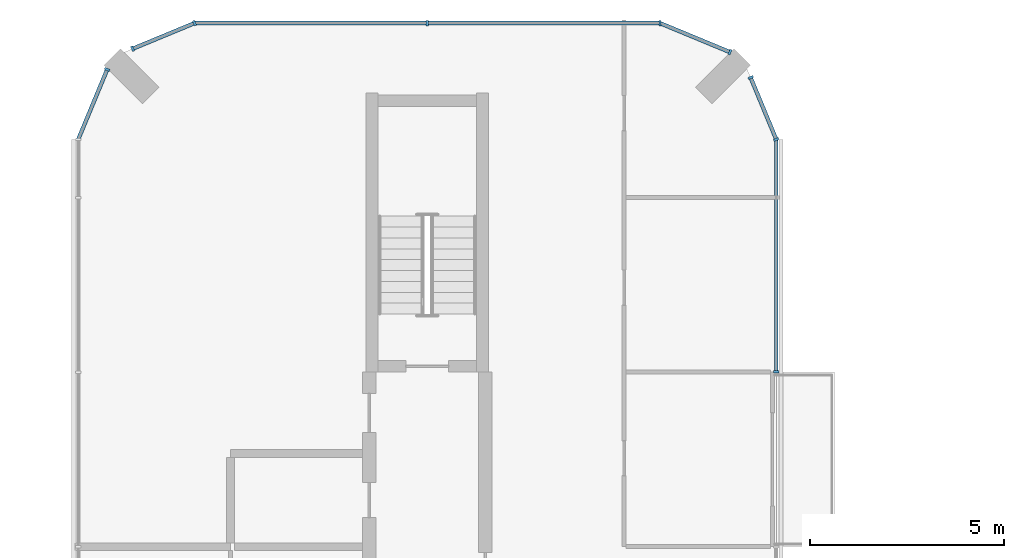
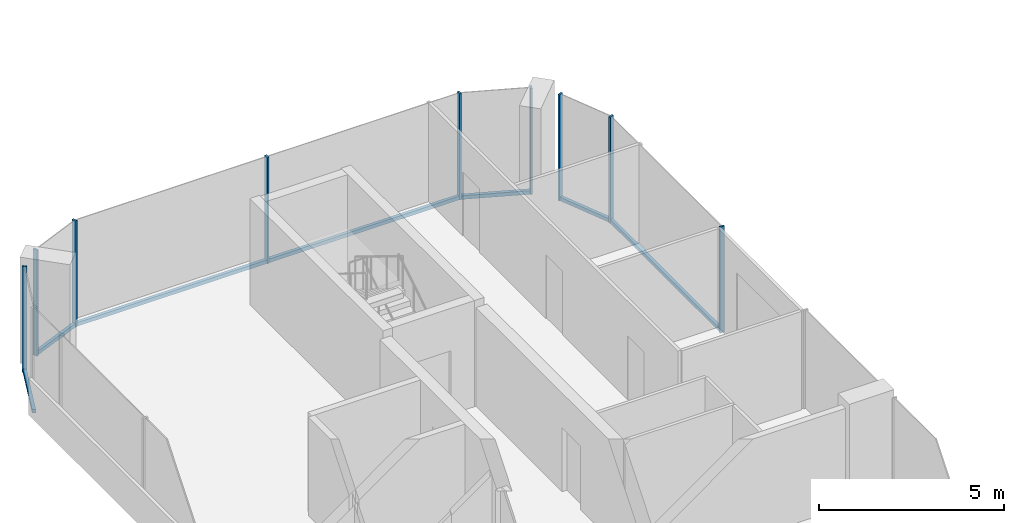
# One storey, part 7 of 24: 15 members, 6 elements without a shape of their own.
"""IFC4 building model written with IfcOpenShell, lengths in metres."""

import ifcopenshell
import ifcopenshell.guid

model = None  # the IFC model being written
_history = None  # IfcOwnerHistory: only IFC2X3 demands one
_inside = {}  # id of a spatial element -> (the spatial element, [elements in it])
_under = {}  # id of a project, library or spatial element -> (it, [spatial elements below it])
_declared = {}  # id of a project -> (the project, [libraries it declares])
_typed = {}  # id of a type object -> (the type object, [elements of that type])
_made_of = {}  # id of a material, layer set ... -> (it, [elements and type objects made of it])


def new_model(schema):
    """Start an empty IFC model of exactly this schema.

    Asked for "IFC4X3", IfcOpenShell would pick the latest addendum, in which some entities
    have other attributes; the version numbers below select the first issue.
    IFC2X3 requires an IfcOwnerHistory on every rooted entity: one is made here for all.
    """
    global model, _history
    if schema == "IFC4X3":
        model = ifcopenshell.file(schema_version=(4, 3, 0, 0))
    else:
        model = ifcopenshell.file(schema=schema)
    _inside.clear()
    _under.clear()
    _declared.clear()
    _typed.clear()
    _made_of.clear()
    _history = None
    if model.schema == "IFC2X3":
        org = make("IfcOrganization", Name="unknown")
        user = make(
            "IfcPersonAndOrganization",
            ThePerson=make("IfcPerson", FamilyName="unknown"),
            TheOrganization=org,
        )
        app = make(
            "IfcApplication",
            ApplicationDeveloper=org,
            Version="unknown",
            ApplicationFullName="unknown",
            ApplicationIdentifier="unknown",
        )
        _history = make(
            "IfcOwnerHistory",
            OwningUser=user,
            OwningApplication=app,
            ChangeAction="ADDED",
            CreationDate=0,
        )
    return model


def make(cls, **values):
    """One entity of the class cls with the attributes given. An attribute that is None is left unset."""
    return model.create_entity(
        cls, **{name: value for name, value in values.items() if value is not None}
    )


def rooted(cls, **values):
    """An entity with a GlobalId (a new one), such as an element, a storey or a relation."""
    return make(cls, GlobalId=ifcopenshell.guid.new(), OwnerHistory=_history, **values)


def si_unit(unit_type, name, prefix=None):
    """IfcSIUnit, for example si_unit("LENGTHUNIT", "METRE", prefix="MILLI")."""
    return make("IfcSIUnit", UnitType=unit_type, Prefix=prefix, Name=name)


def assignment(units):
    """IfcUnitAssignment: the units of a project."""
    return None if units is None else make("IfcUnitAssignment", Units=units)


def point(xyz):
    """IfcCartesianPoint."""
    return None if xyz is None else make("IfcCartesianPoint", Coordinates=xyz)


def direction(xyz):
    """IfcDirection."""
    return None if xyz is None else make("IfcDirection", DirectionRatios=xyz)


def frame(location, z_axis=None, x_axis=None):
    """IfcAxis2Placement3D, a coordinate frame: its origin and axes. An axis left out is left unset."""
    return make(
        "IfcAxis2Placement3D",
        Location=point(location),
        Axis=direction(z_axis),
        RefDirection=direction(x_axis),
    )


def frame_2d(location, x_axis=None):
    """IfcAxis2Placement2D, a coordinate frame in the plane: its origin and x axis."""
    return make(
        "IfcAxis2Placement2D", Location=point(location), RefDirection=direction(x_axis)
    )


def origin():
    """The frame at (0, 0, 0) with its axes left unset."""
    return frame((0.0, 0.0, 0.0))


def origin_2d():
    """The frame at (0, 0) in the plane with its x axis left unset."""
    return frame_2d((0.0, 0.0))


def place(relative_to, where):
    """IfcLocalPlacement: puts the frame where relative to a parent placement (None: the world)."""
    return make(
        "IfcLocalPlacement", PlacementRelTo=relative_to, RelativePlacement=where
    )


def context(
    kind, dimensions, precision=None, world=None, true_north=None, identifier=None
):
    """IfcGeometricRepresentationContext, for example the 3D "Model" context."""
    return make(
        "IfcGeometricRepresentationContext",
        ContextIdentifier=identifier,
        ContextType=kind,
        CoordinateSpaceDimension=dimensions,
        Precision=precision,
        WorldCoordinateSystem=world,
        TrueNorth=true_north,
    )


def subcontext(parent, identifier, kind, view, scale=None):
    """IfcGeometricRepresentationSubContext, for example "Body" below "Model"."""
    return make(
        "IfcGeometricRepresentationSubContext",
        ContextIdentifier=identifier,
        ContextType=kind,
        ParentContext=parent,
        TargetScale=scale,
        TargetView=view,
    )


def project(units=None, contexts=None):
    """IfcProject with its units and contexts."""
    return rooted(
        "IfcProject",
        Name="project",
        RepresentationContexts=contexts,
        UnitsInContext=assignment(units),
    )


def spatial(cls, under=None, at=None, **own):
    """A site, building, storey or space (cls), placed at a placement, below another one or the project."""
    s = rooted(cls, ObjectPlacement=at, **own)
    if under is not None:
        _under.setdefault(under.id(), (under, []))[1].append(s)
    return s


def profile(cls, at=None, kind="AREA", **sizes):
    """A parametric profile (cls). Its sizes go by their IFC names, for example OverallWidth=200.0."""
    return make(cls, ProfileType=kind, Position=at, **sizes)


def rectangle(**sizes):
    """IfcRectangleProfileDef."""
    return profile("IfcRectangleProfileDef", **sizes)


def extrude(swept, where, along, depth):
    """IfcExtrudedAreaSolid: the profile swept, set in the frame where, extruded along a direction by depth."""
    return make(
        "IfcExtrudedAreaSolid",
        SweptArea=swept,
        Position=where,
        ExtrudedDirection=direction(along),
        Depth=depth,
    )


def shape(context_of_items, identifier, shape_type, items):
    """IfcShapeRepresentation: the items that make up one representation, for example the "Body"."""
    return make(
        "IfcShapeRepresentation",
        ContextOfItems=context_of_items,
        RepresentationIdentifier=identifier,
        RepresentationType=shape_type,
        Items=items,
    )


def material(Name=None, Category=None):
    """IfcMaterial."""
    return make("IfcMaterial", Name=Name, Category=Category)


def layer(
    of_material, thickness, ventilated=None, Name=None, Category=None, Priority=None
):
    """IfcMaterialLayer: one layer of a wall or slab, of a material (None: an air gap)."""
    return make(
        "IfcMaterialLayer",
        Material=of_material,
        LayerThickness=thickness,
        IsVentilated=ventilated,
        Name=Name,
        Category=Category,
        Priority=Priority,
    )


def layer_set(layers, Name=None):
    """IfcMaterialLayerSet."""
    return make("IfcMaterialLayerSet", MaterialLayers=layers, LayerSetName=Name)


def material_profile(
    of_material, cross_section, Name=None, Category=None, Priority=None
):
    """IfcMaterialProfile: a cross section and its material."""
    return make(
        "IfcMaterialProfile",
        Name=Name,
        Material=of_material,
        Profile=cross_section,
        Priority=Priority,
        Category=Category,
    )


def profile_set(profiles, Name=None, composite=None):
    """IfcMaterialProfileSet."""
    return make(
        "IfcMaterialProfileSet",
        Name=Name,
        MaterialProfiles=profiles,
        CompositeProfile=composite,
    )


def made_of(thing, what):
    """Note that an element or type object is made of a material, layer set ...; save() writes the relation."""
    if what is not None:
        _made_of.setdefault(what.id(), (what, []))[1].append(thing)
    return thing


def type_object(cls, material=None, **own):
    """A type object (cls), such as IfcWallType, which elements share."""
    return made_of(rooted(cls, **own), material)


def element(
    cls,
    number,
    at=None,
    inside=None,
    cuts=None,
    type_object=None,
    material=None,
    context=None,
    identifier="Body",
    shape_type=None,
    held_by="IfcProductDefinitionShape",
    body=None,
    shapes=None,
    **own,
):
    """One element of the class cls, such as IfcWall. Its Tag is "e" and its number.

    at: its placement. inside: the storey or other place that contains it. cuts: it is an
    opening in that element (IfcRelVoidsElement). A single representation is given by context,
    identifier, shape_type and body (its items); several are given by shapes. held_by: the class
    of the entity that holds the representations. save() writes the other relations.
    """
    e = rooted(cls, Tag="e%d" % number, ObjectPlacement=at, **own)
    if body is not None:
        shapes = [shape(context, identifier, shape_type, body)]
    if shapes is not None:
        e.Representation = make(held_by, Representations=shapes)
    if inside is not None:
        _inside.setdefault(inside.id(), (inside, []))[1].append(e)
    if cuts is not None:
        rooted(
            "IfcRelVoidsElement", RelatingBuildingElement=cuts, RelatedOpeningElement=e
        )
    if type_object is not None:
        _typed.setdefault(type_object.id(), (type_object, []))[1].append(e)
    return made_of(e, material)


def aggregate(whole, parts):
    """IfcRelAggregates: a whole, such as a stair, and the parts it consists of."""
    return rooted("IfcRelAggregates", RelatingObject=whole, RelatedObjects=parts)


def save(model, path):
    """Write the relations noted so far, then the file.

    IfcRelAggregates (storeys below a building ...), IfcRelContainedInSpatialStructure (elements
    in a storey), IfcRelDefinesByType, IfcRelAssociatesMaterial and IfcRelDeclares: one each for
    every whole, place, type object, material and project.
    """
    for whole, parts in _under.values():
        aggregate(whole, parts)
    for where, things in _inside.values():
        rooted(
            "IfcRelContainedInSpatialStructure",
            RelatedElements=things,
            RelatingStructure=where,
        )
    for kind, things in _typed.values():
        rooted("IfcRelDefinesByType", RelatedObjects=things, RelatingType=kind)
    for what, things in _made_of.values():
        rooted("IfcRelAssociatesMaterial", RelatedObjects=things, RelatingMaterial=what)
    for by, libraries in _declared.values():
        rooted("IfcRelDeclares", RelatingContext=by, RelatedDefinitions=libraries)
    model.write(path)


model = new_model("IFC4")

# Units and contexts
model_context = context("Model", 3, precision=1e-05, world=origin(), true_north=direction((0.0, 1.0)))
body_context = subcontext(model_context, "Body", "Model", "MODEL_VIEW")
ifc_project = project(units=[si_unit("LENGTHUNIT", "METRE"), si_unit("AREAUNIT", "SQUARE_METRE"), si_unit("VOLUMEUNIT", "CUBIC_METRE"), si_unit("PLANEANGLEUNIT", "RADIAN"), si_unit("MASSUNIT", "GRAM", prefix="KILO")], contexts=[model_context])

# Site, building, storey
site_placement = place(None, origin())
site = spatial("IfcSite", under=ifc_project, at=site_placement, CompositionType="ELEMENT")
building_placement = place(site_placement, origin())
building = spatial("IfcBuilding", under=site, at=building_placement, Name="Plateau Cross Towers", CompositionType="ELEMENT")
storey_placement = place(building_placement, frame((0.0, 0.0, 47.800048828125)))
storey = spatial("IfcBuildingStorey", under=building, at=storey_placement, Name="L11", CompositionType="ELEMENT", Elevation=47.800048828125)

# Curtain wall, member
ifc_material_1 = material(Name="Dark low-iron glass", Category="glass")
ifc_layer = layer(ifc_material_1, 0.239990234375)
ifc_layer_set = layer_set([ifc_layer], Name="Dark low-iron glass")
curtain_wall_type = type_object("IfcCurtainWallType", Name="Curtain wall flush unitised CW-B", PredefinedType="NOTDEFINED", material=ifc_layer_set)
curtain_wall_1_placement = place(storey_placement, origin())
curtain_wall_1 = element("IfcCurtainWall", 1, at=curtain_wall_1_placement, inside=storey, type_object=curtain_wall_type, Name="ENV/A/L11/A180_450", PredefinedType="NOTDEFINED")
ifc_material_2 = material(Name="Black anodised aluminium", Category="aluminium")
ifc_material_profile_1 = material_profile(ifc_material_2, rectangle(XDim=0.06005859375, YDim=0.139892578125, at=origin_2d()), Name="MULLION 60x140")
ifc_profile_set_1 = profile_set([ifc_material_profile_1], Name="Black anodised aluminium")
member_type_1 = type_object("IfcMemberType", Name="Mullion 60x140 flush unitised", PredefinedType="MULLION", material=ifc_profile_set_1)
member_1_placement = place(storey_placement, frame((18.0, 45.010009765625, -0.25), z_axis=(0.0, 0.0, 1.0), x_axis=(0.0, 1.0, 0.0)))
member_1 = element("IfcMember", 2, at=member_1_placement, type_object=member_type_1, Name="CW-B mullion 1", PredefinedType="MULLION", context=body_context, shape_type="SweptSolid", body=[
    extrude(rectangle(XDim=0.06005859375, YDim=0.139892578125, at=origin_2d()), origin(), (0.0, 0.0, 1.0), 3.5),
])

# Curtain wall, members
curtain_wall_2_placement = place(storey_placement, origin())
curtain_wall_2 = element("IfcCurtainWall", 3, at=curtain_wall_2_placement, inside=storey, type_object=curtain_wall_type, Name="ENV/A/L11/A180_510", PredefinedType="NOTDEFINED")
member_2_placement = place(storey_placement, frame((18.0, 51.0, -0.25), z_axis=(0.0, 0.0, 1.0), x_axis=(-0.382683612978, 0.923879457699, 0.0)))
member_2 = element("IfcMember", 4, at=member_2_placement, type_object=member_type_1, Name="CW-B mullion 1", PredefinedType="MULLION", context=body_context, shape_type="SweptSolid", body=[
    extrude(rectangle(XDim=0.06005859375, YDim=0.139892578125, at=origin_2d()), origin(), (0.0, 0.0, 1.0), 3.5),
])
member_3_placement = place(storey_placement, frame((17.338623046875, 52.5966796875, -0.25), z_axis=(0.0, 0.0, 1.0), x_axis=(-0.382683612978, 0.923879457699, 0.0)))
member_3 = element("IfcMember", 5, at=member_3_placement, type_object=member_type_1, Name="CW-B mullion 2", PredefinedType="MULLION", context=body_context, shape_type="SweptSolid", body=[
    extrude(rectangle(XDim=0.06005859375, YDim=0.139892578125, at=origin_2d()), origin(), (0.0, 0.0, 1.0), 3.5),
])

# Curtain wall, member
curtain_wall_3_placement = place(storey_placement, origin())
curtain_wall_3 = element("IfcCurtainWall", 6, at=curtain_wall_3_placement, inside=storey, type_object=curtain_wall_type, Name="ENV/A/L11/A168_533", PredefinedType="NOTDEFINED")
member_4_placement = place(storey_placement, frame((16.805908203125, 53.251953125, -0.25), z_axis=(0.0, 0.0, 1.0), x_axis=(-0.923879457699, 0.382683612978, 0.0)))
member_4 = element("IfcMember", 7, at=member_4_placement, type_object=member_type_1, Name="CW-B mullion 1", PredefinedType="MULLION", context=body_context, shape_type="SweptSolid", body=[
    extrude(rectangle(XDim=0.06005859375, YDim=0.139892578125, at=origin_2d()), origin(), (0.0, 0.0, 1.0), 3.5),
])

# Curtain wall, members
curtain_wall_4_placement = place(storey_placement, origin())
curtain_wall_4 = element("IfcCurtainWall", 8, at=curtain_wall_4_placement, inside=storey, type_object=curtain_wall_type, Name="ENV/A/L11/A150_540", PredefinedType="NOTDEFINED")
member_5_placement = place(storey_placement, frame((15.0, 54.0, -0.25), z_axis=(0.0, 0.0, 1.0), x_axis=(-1.0, 0.0, 0.0)))
member_5 = element("IfcMember", 9, at=member_5_placement, type_object=member_type_1, Name="CW-B mullion 1", PredefinedType="MULLION", context=body_context, shape_type="SweptSolid", body=[
    extrude(rectangle(XDim=0.06005859375, YDim=0.139892578125, at=origin_2d()), origin(), (0.0, 0.0, 1.0), 3.5),
])
member_6_placement = place(storey_placement, frame((9.0, 54.0, -0.25), z_axis=(0.0, 0.0, 1.0), x_axis=(-1.0, 0.0, 0.0)))
member_6 = element("IfcMember", 10, at=member_6_placement, type_object=member_type_1, Name="CW-B mullion 2", PredefinedType="MULLION", context=body_context, shape_type="SweptSolid", body=[
    extrude(rectangle(XDim=0.06005859375, YDim=0.139892578125, at=origin_2d()), origin(), (0.0, 0.0, 1.0), 3.5),
])

curtain_wall_5_placement = place(storey_placement, origin())
curtain_wall_5 = element("IfcCurtainWall", 11, at=curtain_wall_5_placement, inside=storey, type_object=curtain_wall_type, Name="ENV/A/L11/A30_540", PredefinedType="NOTDEFINED")
member_7_placement = place(storey_placement, frame((3.0, 54.0, -0.25), z_axis=(0.0, 0.0, 1.0), x_axis=(-0.923879457699, -0.382683612978, 0.0)))
member_7 = element("IfcMember", 12, at=member_7_placement, type_object=member_type_1, Name="CW-B mullion 1", PredefinedType="MULLION", context=body_context, shape_type="SweptSolid", body=[
    extrude(rectangle(XDim=0.06005859375, YDim=0.139892578125, at=origin_2d()), origin(), (0.0, 0.0, 1.0), 3.5),
])
member_8_placement = place(storey_placement, frame((1.4033203125, 53.338623046875, -0.25), z_axis=(0.0, 0.0, 1.0), x_axis=(-0.923879457699, -0.382683612978, 0.0)))
member_8 = element("IfcMember", 13, at=member_8_placement, type_object=member_type_1, Name="CW-B mullion 2", PredefinedType="MULLION", context=body_context, shape_type="SweptSolid", body=[
    extrude(rectangle(XDim=0.06005859375, YDim=0.139892578125, at=origin_2d()), origin(), (0.0, 0.0, 1.0), 3.5),
])

# Curtain wall, member
curtain_wall_6_placement = place(storey_placement, origin())
curtain_wall_6 = element("IfcCurtainWall", 14, at=curtain_wall_6_placement, inside=storey, type_object=curtain_wall_type, Name="ENV/A/L11/A7_528", PredefinedType="NOTDEFINED")
member_9_placement = place(storey_placement, frame((0.748046875, 52.805908203125, -0.25), z_axis=(0.0, 0.0, 1.0), x_axis=(-0.382683612978, -0.923879457699, 0.0)))
member_9 = element("IfcMember", 15, at=member_9_placement, type_object=member_type_1, Name="CW-B mullion 1", PredefinedType="MULLION", context=body_context, shape_type="SweptSolid", body=[
    extrude(rectangle(XDim=0.06005859375, YDim=0.139892578125, at=origin_2d()), origin(), (0.0, 0.0, 1.0), 3.5),
])

# Member
ifc_material_profile_2 = material_profile(ifc_material_2, rectangle(XDim=0.10009765625, YDim=0.1201171875, at=origin_2d()), Name="TRANSOM 100x120")
ifc_profile_set_2 = profile_set([ifc_material_profile_2], Name="Black anodised aluminium")
member_type_2 = type_object("IfcMemberType", Name="Transom 100x120 flush unitised", PredefinedType="USERDEFINED", material=ifc_profile_set_2)
member_10_placement = place(storey_placement, frame((18.0, 45.010009765625, -0.18994140625), z_axis=(0.0, 1.0, 0.0), x_axis=(-1.0, 0.0, 0.0)))
member_10 = element("IfcMember", 16, at=member_10_placement, type_object=member_type_2, Name="CW-B transom", ObjectType="TRANSOM", PredefinedType="USERDEFINED", context=body_context, shape_type="SweptSolid", body=[
    extrude(rectangle(XDim=0.10009765625, YDim=0.1201171875, at=origin_2d()), origin(), (0.0, 0.0, 1.0), 5.989990234375),
])

aggregate(curtain_wall_1, [member_1, member_10])

member_11_placement = place(storey_placement, frame((18.0, 51.0, -0.18994140625), z_axis=(-0.382688653628, 0.923877369776, 0.0), x_axis=(-0.923877369776, -0.382688653628, 0.0)))
member_11 = element("IfcMember", 17, at=member_11_placement, type_object=member_type_2, Name="CW-B transom", ObjectType="TRANSOM", PredefinedType="USERDEFINED", context=body_context, shape_type="SweptSolid", body=[
    extrude(rectangle(XDim=0.10009765625, YDim=0.1201171875, at=origin_2d()), origin(), (0.0, 0.0, 1.0), 1.728271484375),
])

aggregate(curtain_wall_2, [member_2, member_3, member_11])

member_12_placement = place(storey_placement, frame((16.805908203125, 53.251953125, -0.18994140625), z_axis=(-0.92387678234, 0.382690071798, 0.0), x_axis=(-0.382690071798, -0.92387678234, 0.0)))
member_12 = element("IfcMember", 18, at=member_12_placement, type_object=member_type_2, Name="CW-B transom", ObjectType="TRANSOM", PredefinedType="USERDEFINED", context=body_context, shape_type="SweptSolid", body=[
    extrude(rectangle(XDim=0.10009765625, YDim=0.1201171875, at=origin_2d()), origin(), (0.0, 0.0, 1.0), 1.95458984375),
])

aggregate(curtain_wall_3, [member_4, member_12])

member_13_placement = place(storey_placement, frame((15.0, 54.0, -0.18994140625), z_axis=(-1.0, 0.0, 0.0), x_axis=(0.0, -1.0, 0.0)))
member_13 = element("IfcMember", 19, at=member_13_placement, type_object=member_type_2, Name="CW-B transom", ObjectType="TRANSOM", PredefinedType="USERDEFINED", context=body_context, shape_type="SweptSolid", body=[
    extrude(rectangle(XDim=0.10009765625, YDim=0.1201171875, at=origin_2d()), origin(), (0.0, 0.0, 1.0), 12.0),
])

aggregate(curtain_wall_4, [member_5, member_6, member_13])

member_14_placement = place(storey_placement, frame((3.0, 54.0, -0.18994140625), z_axis=(-0.923877369776, -0.382688653628, 0.0), x_axis=(0.382688653628, -0.923877369776, 0.0)))
member_14 = element("IfcMember", 20, at=member_14_placement, type_object=member_type_2, Name="CW-B transom", ObjectType="TRANSOM", PredefinedType="USERDEFINED", context=body_context, shape_type="SweptSolid", body=[
    extrude(rectangle(XDim=0.10009765625, YDim=0.1201171875, at=origin_2d()), origin(), (0.0, 0.0, 1.0), 1.728271484375),
])

aggregate(curtain_wall_5, [member_7, member_8, member_14])

member_15_placement = place(storey_placement, frame((0.748046875, 52.805908203125, -0.18994140625), z_axis=(-0.382690071798, -0.92387678234, 0.0), x_axis=(0.92387678234, -0.382690071798, 0.0)))
member_15 = element("IfcMember", 21, at=member_15_placement, type_object=member_type_2, Name="CW-B transom", ObjectType="TRANSOM", PredefinedType="USERDEFINED", context=body_context, shape_type="SweptSolid", body=[
    extrude(rectangle(XDim=0.10009765625, YDim=0.1201171875, at=origin_2d()), origin(), (0.0, 0.0, 1.0), 1.95458984375),
])

aggregate(curtain_wall_6, [member_9, member_15])

save(model, "model.ifc")
